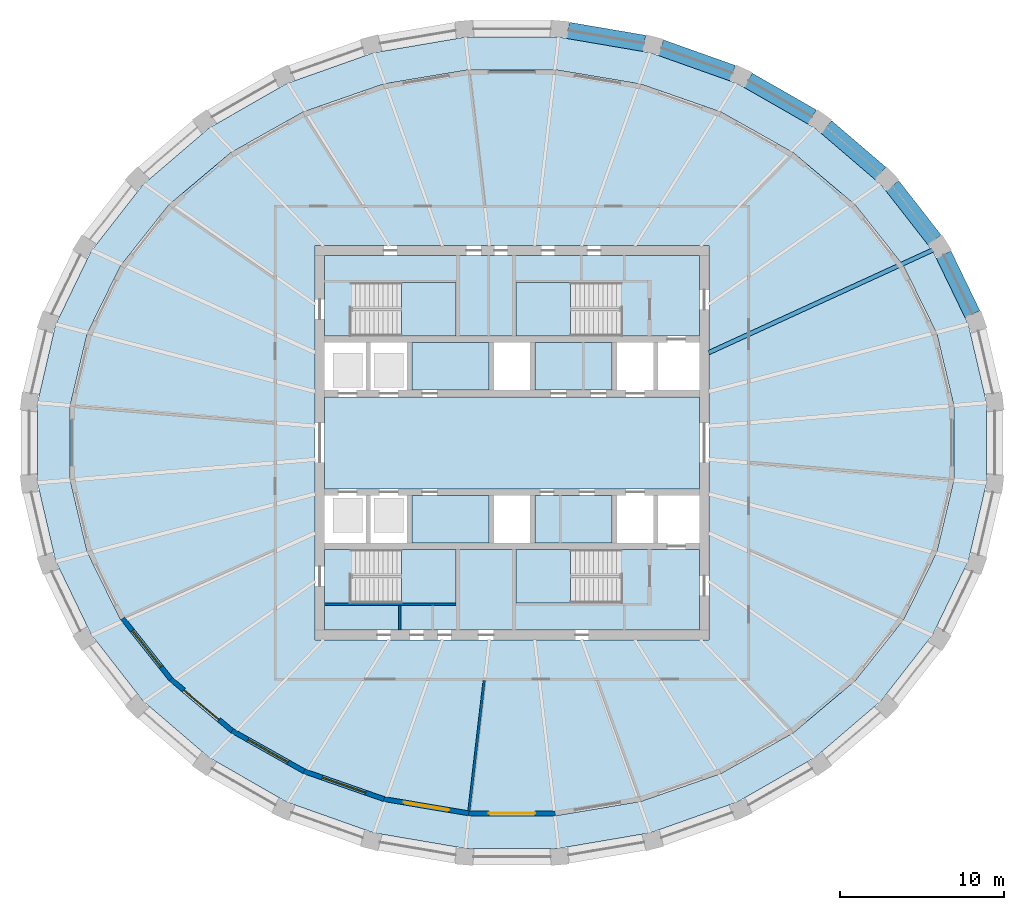
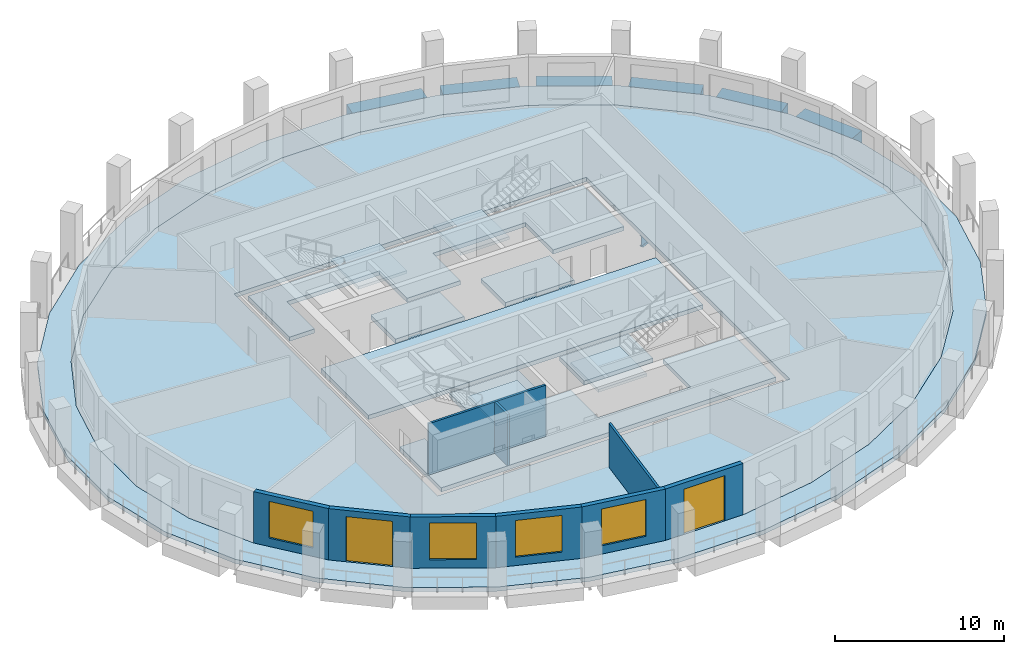
# One storey, part 2 of 10: 13 slabs, 9 walls, 7 beams, 4 windows, 2 doors, 6 openings, 4 elements without a shape of their own.
"""IFC4 building model written with IfcOpenShell, lengths in metres."""

from ifc_helpers import new_model, si_unit, direction, frame, frame_2d, origin, origin_2d, place, context, subcontext, project, spatial, polyline, rectangle, i_section, outline, extrude, material, layer, layer_set, material_profile, profile_set, type_object, element, fill, aggregate, save


model = new_model("IFC4")

# Units and contexts
model_context = context("Model", 3, precision=1e-05, world=origin(), true_north=direction((0.0, 1.0)))
body_context = subcontext(model_context, "Body", "Model", "MODEL_VIEW")
ifc_project = project(units=[si_unit("LENGTHUNIT", "METRE"), si_unit("AREAUNIT", "SQUARE_METRE"), si_unit("VOLUMEUNIT", "CUBIC_METRE"), si_unit("PLANEANGLEUNIT", "RADIAN"), si_unit("MASSUNIT", "GRAM", prefix="KILO")], contexts=[model_context])

# Site, building, storey
site_placement = place(None, origin())
site = spatial("IfcSite", under=ifc_project, at=site_placement, CompositionType="ELEMENT")
building_placement = place(site_placement, origin())
building = spatial("IfcBuilding", under=site, at=building_placement, Name="Halqa Exchange Tower", CompositionType="ELEMENT")
storey_placement = place(building_placement, frame((0.0, 0.0, 280.300048828125)))
storey = spatial("IfcBuildingStorey", under=building, at=storey_placement, Name="L65", CompositionType="ELEMENT", Elevation=280.300048828125)

# Beams
ifc_material_1 = material(Name="Steel S355", Category="steel")
ifc_material_profile_1 = material_profile(ifc_material_1, i_section(OverallWidth=0.264892578125, OverallDepth=0.7529296875, WebThickness=0.01318359375, FlangeThickness=0.01708984375, FilletRadius=0.01708984375, at=origin_2d()), Name="IPE 750x147")
ifc_profile_set_1 = profile_set([ifc_material_profile_1], Name="Steel S355")
beam_type_1 = type_object("IfcBeamType", Name="Floor beam IPE 750x147", PredefinedType="BEAM", material=ifc_profile_set_1)
beam_1_placement = place(storey_placement, frame((11.972412109375, 5.4853515625, -0.676513671875), z_axis=(0.909129124533, 0.416514387417, 0.0), x_axis=(-0.416514387417, 0.909129124533, 0.0)))
element("IfcBeam", 1, at=beam_1_placement, inside=storey, type_object=beam_type_1, Name="Radial beam 3", PredefinedType="BEAM", context=body_context, shape_type="SweptSolid", body=[
    extrude(i_section(OverallWidth=0.264892578125, OverallDepth=0.7529296875, WebThickness=0.01318359375, FlangeThickness=0.01708984375, FilletRadius=0.01708984375, at=origin_2d()), origin(), (0.0, 0.0, 1.0), 15.097412109375),
])
ifc_material_2 = material(Name="Concrete C60/75", Category="concrete")
ifc_material_profile_2 = material_profile(ifc_material_2, rectangle(XDim=1.0, YDim=0.89990234375, at=origin_2d()), Name="1000 x 900")
ifc_profile_set_2 = profile_set([ifc_material_profile_2], Name="Concrete C60/75")
beam_type_2 = type_object("IfcBeamType", Name="RC spandrel beam 1000 x 900 C60/75", PredefinedType="SPANDREL", material=ifc_profile_set_2)
beam_2_placement = place(storey_placement, frame((28.0263671875, 7.8193359375, -0.449951171875), z_axis=(-0.435061697702, 0.90040064371, 0.0), x_axis=(-0.90040064371, -0.435061697702, 0.0)))
element("IfcBeam", 2, at=beam_2_placement, inside=storey, type_object=beam_type_2, Name="Spandrel 2", PredefinedType="SPANDREL", context=body_context, shape_type="SweptSolid", body=[
    extrude(rectangle(XDim=1.0, YDim=0.89990234375, at=origin_2d()), origin(), (0.0, 0.0, 1.0), 4.039794921875),
])
beam_3_placement = place(storey_placement, frame((25.71728515625, 12.343994140625, -0.449951171875), z_axis=(-0.614781231149, 0.788697684684, 0.0), x_axis=(-0.788697684684, -0.614781231149, 0.0)))
element("IfcBeam", 3, at=beam_3_placement, inside=storey, type_object=beam_type_2, Name="Spandrel 3", PredefinedType="SPANDREL", context=body_context, shape_type="SweptSolid", body=[
    extrude(rectangle(XDim=1.0, YDim=0.89990234375, at=origin_2d()), origin(), (0.0, 0.0, 1.0), 4.180419921875),
])
beam_4_placement = place(storey_placement, frame((22.42626953125, 16.396484375, -0.449951171875), z_axis=(-0.759256602365, 0.650791373456, 0.0), x_axis=(-0.650791373456, -0.759256602365, 0.0)))
element("IfcBeam", 4, at=beam_4_placement, inside=storey, type_object=beam_type_2, Name="Spandrel 4", PredefinedType="SPANDREL", context=body_context, shape_type="SweptSolid", body=[
    extrude(rectangle(XDim=1.0, YDim=0.89990234375, at=origin_2d()), origin(), (0.0, 0.0, 1.0), 4.342041015625),
])
beam_5_placement = place(storey_placement, frame((18.27685546875, 19.82373046875, -0.449951171875), z_axis=(-0.867761736786, 0.496980450492, 0.0), x_axis=(-0.496980450492, -0.867761736786, 0.0)))
element("IfcBeam", 5, at=beam_5_placement, inside=storey, type_object=beam_type_2, Name="Spandrel 5", PredefinedType="SPANDREL", context=body_context, shape_type="SweptSolid", body=[
    extrude(rectangle(XDim=1.0, YDim=0.89990234375, at=origin_2d()), origin(), (0.0, 0.0, 1.0), 4.497802734375),
])
beam_6_placement = place(storey_placement, frame((13.42529296875, 22.4951171875, -0.449951171875), z_axis=(-0.942367104473, 0.334580693418, 0.0), x_axis=(-0.334580693418, -0.942367104473, 0.0)))
element("IfcBeam", 6, at=beam_6_placement, inside=storey, type_object=beam_type_2, Name="Spandrel 6", PredefinedType="SPANDREL", context=body_context, shape_type="SweptSolid", body=[
    extrude(rectangle(XDim=1.0, YDim=0.89990234375, at=origin_2d()), origin(), (0.0, 0.0, 1.0), 4.626220703125),
])
beam_7_placement = place(storey_placement, frame((8.05419921875, 24.306640625, -0.449951171875), z_axis=(-0.985774984222, 0.168070462848, 0.0), x_axis=(-0.168070462848, -0.985774984222, 0.0)))
element("IfcBeam", 7, at=beam_7_placement, inside=storey, type_object=beam_type_2, Name="Spandrel 7", PredefinedType="SPANDREL", context=body_context, shape_type="SweptSolid", body=[
    extrude(rectangle(XDim=1.0, YDim=0.89990234375, at=origin_2d()), origin(), (0.0, 0.0, 1.0), 4.710693359375),
])

# Slabs
ifc_layer_1 = layer(ifc_material_2, 0.300048828125)
ifc_layer_set_1 = layer_set([ifc_layer_1], Name="Concrete C60/75")
slab_type_1 = type_object("IfcSlabType", Name="Core floor slab 300", PredefinedType="FLOOR", material=ifc_layer_set_1)
slab_1_placement = place(storey_placement, frame((0.0, 0.0, -0.300048828125)))
element("IfcSlab", 8, at=slab_1_placement, inside=storey, type_object=slab_type_1, Name="Core floor slab", PredefinedType="FLOOR", context=body_context, shape_type="SweptSolid", body=[
    extrude(outline(polyline([(-11.39990234375, 2.800048828125), (11.39990234375, 2.800048828125), (11.39990234375, -2.800048828125), (-11.39990234375, -2.800048828125), (-11.39990234375, 2.800048828125)])), origin(), (0.0, 0.0, 1.0), 0.300048828125),
])
slab_2_placement = place(storey_placement, frame((0.0, 0.0, -0.300048828125)))
element("IfcSlab", 9, at=slab_2_placement, inside=storey, type_object=slab_type_1, Name="Core floor slab", PredefinedType="FLOOR", context=body_context, shape_type="SweptSolid", body=[
    extrude(outline(polyline([(-11.39990234375, 11.39990234375), (11.39990234375, 11.39990234375), (11.39990234375, 6.5), (6.550048828125, 6.5), (6.550048828125, 9.75), (0.25, 9.75), (0.25, 6.5), (-3.39990234375, 6.5), (-3.39990234375, 9.75), (-9.699951171875, 9.75), (-9.699951171875, 6.5), (-11.39990234375, 6.5), (-11.39990234375, 11.39990234375)])), origin(), (0.0, 0.0, 1.0), 0.300048828125),
])
slab_3_placement = place(storey_placement, frame((0.0, 0.0, -0.300048828125)))
element("IfcSlab", 10, at=slab_3_placement, inside=storey, type_object=slab_type_1, Name="Core floor slab", PredefinedType="FLOOR", context=body_context, shape_type="SweptSolid", body=[
    extrude(outline(polyline([(-11.39990234375, -6.5), (-9.699951171875, -6.5), (-9.699951171875, -9.75), (-3.39990234375, -9.75), (-3.39990234375, -6.5), (0.25, -6.5), (0.25, -9.75), (6.550048828125, -9.75), (6.550048828125, -6.5), (11.39990234375, -6.5), (11.39990234375, -11.39990234375), (-11.39990234375, -11.39990234375), (-11.39990234375, -6.5)])), origin(), (0.0, 0.0, 1.0), 0.300048828125),
])
slab_4_placement = place(storey_placement, frame((0.0, 0.0, -0.300048828125)))
element("IfcSlab", 11, at=slab_4_placement, inside=storey, type_object=slab_type_1, Name="Core floor slab", PredefinedType="FLOOR", context=body_context, shape_type="SweptSolid", body=[
    extrude(outline(polyline([(-1.39990234375, -3.199951171875), (-1.39990234375, -6.10009765625), (-6.10009765625, -6.10009765625), (-6.10009765625, -3.199951171875), (-1.39990234375, -3.199951171875)])), origin(), (0.0, 0.0, 1.0), 0.300048828125),
])
slab_5_placement = place(storey_placement, frame((0.0, 0.0, -0.300048828125)))
element("IfcSlab", 12, at=slab_5_placement, inside=storey, type_object=slab_type_1, Name="Core floor slab", PredefinedType="FLOOR", context=body_context, shape_type="SweptSolid", body=[
    extrude(outline(polyline([(-1.39990234375, 3.199951171875), (-6.10009765625, 3.199951171875), (-6.10009765625, 6.10009765625), (-1.39990234375, 6.10009765625), (-1.39990234375, 3.199951171875)])), origin(), (0.0, 0.0, 1.0), 0.300048828125),
])
slab_6_placement = place(storey_placement, frame((0.0, 0.0, -0.300048828125)))
element("IfcSlab", 13, at=slab_6_placement, inside=storey, type_object=slab_type_1, Name="Core floor slab", PredefinedType="FLOOR", context=body_context, shape_type="SweptSolid", body=[
    extrude(outline(polyline([(6.10009765625, -3.199951171875), (6.10009765625, -6.10009765625), (1.39990234375, -6.10009765625), (1.39990234375, -3.199951171875), (6.10009765625, -3.199951171875)])), origin(), (0.0, 0.0, 1.0), 0.300048828125),
])
slab_7_placement = place(storey_placement, frame((0.0, 0.0, -0.300048828125)))
element("IfcSlab", 14, at=slab_7_placement, inside=storey, type_object=slab_type_1, Name="Core floor slab", PredefinedType="FLOOR", context=body_context, shape_type="SweptSolid", body=[
    extrude(outline(polyline([(6.10009765625, 6.10009765625), (6.10009765625, 3.199951171875), (1.39990234375, 3.199951171875), (1.39990234375, 6.10009765625), (6.10009765625, 6.10009765625)])), origin(), (0.0, 0.0, 1.0), 0.300048828125),
])
ifc_material_3 = material(Name="Concrete C40/50", Category="concrete")
ifc_layer_2 = layer(ifc_material_3, 0.300048828125)
ifc_layer_set_2 = layer_set([ifc_layer_2], Name="Concrete C40/50")
slab_type_2 = type_object("IfcSlabType", Name="RC floor slab 300", PredefinedType="FLOOR", material=ifc_layer_set_2)
slab_8_placement = place(storey_placement, frame((0.0, 0.0, -0.300048828125)))
element("IfcSlab", 15, at=slab_8_placement, inside=storey, type_object=slab_type_2, Name="Floor slab", PredefinedType="FLOOR", context=body_context, shape_type="SweptSolid", body=[
    extrude(outline(polyline([(26.897705078125, 2.2412109375), (25.859619140625, 6.6357421875), (23.825439453125, 10.771484375), (20.8759765625, 14.4892578125), (17.126708984375, 17.646728515625), (12.72265625, 20.125), (7.8330078125, 21.830810546875), (2.64453125, 22.699951171875), (-2.64453125, 22.699951171875), (-7.8330078125, 21.830810546875), (-12.72265625, 20.125), (-17.126708984375, 17.646728515625), (-20.8759765625, 14.4892578125), (-23.825439453125, 10.771484375), (-25.859619140625, 6.6357421875), (-26.897705078125, 2.2412109375), (-26.897705078125, -2.2412109375), (-25.859619140625, -6.6357421875), (-23.825439453125, -10.771484375), (-20.8759765625, -14.4892578125), (-17.126708984375, -17.646728515625), (-12.72265625, -20.125), (-7.8330078125, -21.830810546875), (-2.64453125, -22.699951171875), (2.64453125, -22.699951171875), (7.8330078125, -21.830810546875), (12.72265625, -20.125), (17.126708984375, -17.646728515625), (20.8759765625, -14.4892578125), (23.825439453125, -10.771484375), (25.859619140625, -6.6357421875), (26.897705078125, -2.2412109375), (26.897705078125, 2.2412109375)]), holes=[polyline([(-12.0, -12.0), (12.0, -12.0), (12.0, 12.0), (-12.0, 12.0), (-12.0, -12.0)])]), origin(), (0.0, 0.0, 1.0), 0.300048828125),
])
ifc_layer_3 = layer(ifc_material_3, 0.300048828125)
ifc_layer_set_3 = layer_set([ifc_layer_3], Name="Concrete C40/50")
slab_type_3 = type_object("IfcSlabType", Name="RC loggia slab 300", PredefinedType="FLOOR", material=ifc_layer_set_3)
slab_9_placement = place(storey_placement, frame((0.0, 0.0, -0.300048828125)))
element("IfcSlab", 16, at=slab_9_placement, inside=storey, type_object=slab_type_3, Name="Loggia slab", PredefinedType="FLOOR", context=body_context, shape_type="SweptSolid", body=[
    extrude(outline(polyline([(28.884033203125, 2.42333984375), (28.884033203125, -2.42333984375), (27.780517578125, -7.17919921875), (25.61279296875, -11.664794921875), (22.460693359375, -15.70849609375), (18.44189453125, -19.1533203125), (13.708984375, -21.86376953125), (8.4443359375, -23.73291015625), (2.851806640625, -24.686279296875), (-2.851806640625, -24.686279296875), (-8.4443359375, -23.73291015625), (-13.708984375, -21.86376953125), (-18.44189453125, -19.1533203125), (-22.460693359375, -15.70849609375), (-25.61279296875, -11.664794921875), (-27.780517578125, -7.17919921875), (-28.884033203125, -2.42333984375), (-28.884033203125, 2.42333984375), (-27.780517578125, 7.17919921875), (-25.61279296875, 11.664794921875), (-22.460693359375, 15.70849609375), (-18.44189453125, 19.1533203125), (-13.708984375, 21.86376953125), (-8.4443359375, 23.73291015625), (-2.851806640625, 24.686279296875), (2.851806640625, 24.686279296875), (8.4443359375, 23.73291015625), (13.708984375, 21.86376953125), (18.44189453125, 19.1533203125), (22.460693359375, 15.70849609375), (25.61279296875, 11.664794921875), (27.780517578125, 7.17919921875), (28.884033203125, 2.42333984375)]), holes=[polyline([(26.897705078125, 2.2412109375), (25.859619140625, 6.6357421875), (23.825439453125, 10.771484375), (20.8759765625, 14.4892578125), (17.126708984375, 17.646728515625), (12.72265625, 20.125), (7.8330078125, 21.830810546875), (2.64453125, 22.699951171875), (-2.64453125, 22.699951171875), (-7.8330078125, 21.830810546875), (-12.72265625, 20.125), (-17.126708984375, 17.646728515625), (-20.8759765625, 14.4892578125), (-23.825439453125, 10.771484375), (-25.859619140625, 6.6357421875), (-26.897705078125, 2.2412109375), (-26.897705078125, -2.2412109375), (-25.859619140625, -6.6357421875), (-23.825439453125, -10.771484375), (-20.8759765625, -14.4892578125), (-17.126708984375, -17.646728515625), (-12.72265625, -20.125), (-7.8330078125, -21.830810546875), (-2.64453125, -22.699951171875), (2.64453125, -22.699951171875), (7.8330078125, -21.830810546875), (12.72265625, -20.125), (17.126708984375, -17.646728515625), (20.8759765625, -14.4892578125), (23.825439453125, -10.771484375), (25.859619140625, -6.6357421875), (26.897705078125, -2.2412109375), (26.897705078125, 2.2412109375)])]), origin(), (0.0, 0.0, 1.0), 0.300048828125),
])

# Stair, slab
ifc_material_4 = material(Name="Concrete C30/37", Category="concrete")
stair_type = type_object("IfcStairType", Name="Exit stair 1500 wide", PredefinedType="HALF_TURN_STAIR", material=ifc_material_4)
stair_1_placement = place(storey_placement, origin())
stair_1 = element("IfcStair", 17, at=stair_1_placement, inside=storey, type_object=stair_type, Name="Exit stair ST1", PredefinedType="HALF_TURN_STAIR")
ifc_layer_4 = layer(ifc_material_4, 0.199951171875)
ifc_layer_set_4 = layer_set([ifc_layer_4], Name="Concrete C30/37")
slab_type_4 = type_object("IfcSlabType", Name="Stair landing 200 slab", PredefinedType="LANDING", material=ifc_layer_set_4)
slab_10_placement = place(storey_placement, frame((0.0, 0.0, 1.800048828125)))
slab_10 = element("IfcSlab", 18, at=slab_10_placement, type_object=slab_type_4, Name="ST1 landing 1", PredefinedType="LANDING", context=body_context, shape_type="SweptSolid", body=[
    extrude(outline(polyline([(-6.719970703125, 6.5), (-3.39990234375, 6.5), (-3.39990234375, 9.75), (-6.719970703125, 9.75), (-6.719970703125, 6.5)])), origin(), (0.0, 0.0, 1.0), 0.199951171875),
])
aggregate(stair_1, [slab_10])

stair_2_placement = place(storey_placement, origin())
stair_2 = element("IfcStair", 19, at=stair_2_placement, inside=storey, type_object=stair_type, Name="Exit stair ST2", PredefinedType="HALF_TURN_STAIR")
slab_11_placement = place(storey_placement, frame((0.0, 0.0, 1.800048828125)))
slab_11 = element("IfcSlab", 20, at=slab_11_placement, type_object=slab_type_4, Name="ST2 landing 1", PredefinedType="LANDING", context=body_context, shape_type="SweptSolid", body=[
    extrude(outline(polyline([(0.25, 6.5), (3.570068359375, 6.5), (3.570068359375, 9.75), (0.25, 9.75), (0.25, 6.5)])), origin(), (0.0, 0.0, 1.0), 0.199951171875),
])
aggregate(stair_2, [slab_11])

stair_3_placement = place(storey_placement, origin())
stair_3 = element("IfcStair", 21, at=stair_3_placement, inside=storey, type_object=stair_type, Name="Exit stair ST3", PredefinedType="HALF_TURN_STAIR")
slab_12_placement = place(storey_placement, frame((0.0, 0.0, 1.800048828125)))
slab_12 = element("IfcSlab", 22, at=slab_12_placement, type_object=slab_type_4, Name="ST3 landing 1", PredefinedType="LANDING", context=body_context, shape_type="SweptSolid", body=[
    extrude(outline(polyline([(-6.719970703125, -9.75), (-3.39990234375, -9.75), (-3.39990234375, -6.5), (-6.719970703125, -6.5), (-6.719970703125, -9.75)])), origin(), (0.0, 0.0, 1.0), 0.199951171875),
])
aggregate(stair_3, [slab_12])

stair_4_placement = place(storey_placement, origin())
stair_4 = element("IfcStair", 23, at=stair_4_placement, inside=storey, type_object=stair_type, Name="Exit stair ST4", PredefinedType="HALF_TURN_STAIR")
slab_13_placement = place(storey_placement, frame((0.0, 0.0, 1.800048828125)))
slab_13 = element("IfcSlab", 24, at=slab_13_placement, type_object=slab_type_4, Name="ST4 landing 1", PredefinedType="LANDING", context=body_context, shape_type="SweptSolid", body=[
    extrude(outline(polyline([(0.25, -9.75), (3.570068359375, -9.75), (3.570068359375, -6.5), (0.25, -6.5), (0.25, -9.75)])), origin(), (0.0, 0.0, 1.0), 0.199951171875),
])
aggregate(stair_4, [slab_13])

# Walls
ifc_material_5 = material(Name="Fire-rated gypsum board")
ifc_layer_5 = layer(ifc_material_5, 0.14990234375)
ifc_layer_set_5 = layer_set([ifc_layer_5], Name="Fire-rated gypsum board")
wall_type_1 = type_object("IfcWallType", Name="Fire partition EI 60 150", PredefinedType="PARTITIONING", material=ifc_layer_set_5)
wall_1_placement = place(storey_placement, frame((-1.687744140625, -14.466552734375, 0.0), z_axis=(0.0, 0.0, 1.0), x_axis=(-0.116071250105, -0.993240889663, 0.0)))
element("IfcWall", 25, at=wall_1_placement, inside=storey, type_object=wall_type_1, Name="L65-PWL-008", PredefinedType="PARTITIONING", context=body_context, shape_type="SweptSolid", body=[
    extrude(outline(polyline([(7.984375, -0.074951171875), (7.984375, 0.025390625), (7.978515625, 0.074951171875), (5.98388671875, 0.074951171875), (3.9892578125, 0.074951171875), (1.99462890625, 0.074951171875), (0.0, 0.074951171875), (0.0, 0.07275390625), (0.017333984375, -0.074951171875), (2.009033203125, -0.074951171875), (4.000732421875, -0.074951171875), (5.99267578125, -0.074951171875), (7.984375, -0.074951171875)])), origin(), (0.0, 0.0, 1.0), 3.14990234375),
])
ifc_material_6 = material(Name="Gypsum board")
ifc_layer_6 = layer(ifc_material_6, 0.14990234375)
ifc_layer_set_6 = layer_set([ifc_layer_6], Name="Gypsum board")
wall_type_2 = type_object("IfcWallType", Name="Penthouse riser wall 150 gypsum", PredefinedType="PARTITIONING", material=ifc_layer_set_6)
wall_2_placement = place(storey_placement, frame((-6.824951171875, -11.39990234375, 0.0), z_axis=(0.0, 0.0, 1.0), x_axis=(0.0, 1.0, 0.0)))
element("IfcWall", 26, at=wall_2_placement, inside=storey, type_object=wall_type_2, Name="Partition W6.825 S", PredefinedType="PARTITIONING", context=body_context, shape_type="SweptSolid", body=[
    extrude(rectangle(XDim=1.5, YDim=0.14990234375, at=frame_2d((0.75, 0.0))), origin(), (0.0, 0.0, 1.0), 3.699951171875),
])
ifc_layer_7 = layer(ifc_material_4, 0.14990234375)
ifc_layer_set_7 = layer_set([ifc_layer_7], Name="Concrete C30/37")
wall_type_3 = type_object("IfcWallType", Name="RC stair wall 150 C30/37", PredefinedType="SHEAR", material=ifc_layer_set_7)
wall_3_placement = place(storey_placement, frame((-11.39990234375, -9.824951171875, 0.0), z_axis=(0.0, 0.0, 1.0), x_axis=(1.0, 0.0, 0.0)))
element("IfcWall", 27, at=wall_3_placement, inside=storey, type_object=wall_type_3, Name="Stair ST1 north wall S", PredefinedType="SHEAR", context=body_context, shape_type="SweptSolid", body=[
    extrude(rectangle(XDim=8.0, YDim=0.14990234375, at=frame_2d((4.0, 0.0))), origin(), (0.0, 0.0, 1.0), 3.699951171875),
])

# Wall, opening, window
ifc_material_7 = material(Name="Limestone cladding", Category="masonry")
ifc_layer_8 = layer(ifc_material_7, 0.0400390625)
ifc_material_8 = material(Name="Ventilated cavity")
ifc_layer_9 = layer(ifc_material_8, 0.030029296875, ventilated=True)
ifc_material_9 = material(Name="Mineral wool insulation")
ifc_layer_10 = layer(ifc_material_9, 0.10009765625)
ifc_layer_11 = layer(ifc_material_4, 0.10009765625)
ifc_material_10 = material(Name="Internal plaster")
ifc_layer_12 = layer(ifc_material_10, 0.030029296875)
ifc_layer_set_8 = layer_set([ifc_layer_8, ifc_layer_9, ifc_layer_10, ifc_layer_11, ifc_layer_12], Name="Stone-faced insulated wall 300")
wall_type_4 = type_object("IfcWallType", Name="Stone-faced insulated wall 300", PredefinedType="STANDARD", material=ifc_layer_set_8)
wall_4_placement = place(storey_placement, frame((-23.697998046875, -10.69091796875, 0.0), z_axis=(0.0, 0.0, 1.0), x_axis=(0.621544881236, -0.783378555112, 0.0)))
wall_4 = element("IfcWall", 28, at=wall_4_placement, inside=storey, type_object=wall_type_4, Name="Glass-line wall 19", PredefinedType="STANDARD", context=body_context, shape_type="SweptSolid", body=[
    extrude(outline(polyline([(-0.01611328125, -0.14990234375), (4.7294921875, -0.14990234375), (4.69921875, 0.14990234375), (0.01611328125, 0.14990234375), (-0.01611328125, -0.14990234375)])), origin(), (0.0, 0.0, 1.0), 3.699951171875),
])
opening_1_placement = place(wall_4_placement, frame((0.957275390625, 0.0, 0.60009765625)))
opening_1 = element("IfcOpeningElement", 29, at=opening_1_placement, cuts=wall_4, Name="Opening W-F4-19", PredefinedType="OPENING", context=body_context, shape_type="SweptSolid", body=[
    extrude(rectangle(XDim=2.800048828125, YDim=2.64990234375, at=frame_2d((1.39990234375, 1.324951171875))), frame((0.0, 0.162109375, 0.0), z_axis=(0.0, -1.0, 0.0), x_axis=(1.0, 0.0, 0.0)), (0.0, 0.0, 1.0), 0.323974609375),
])
ifc_material_11 = material(Name="Clear low-emissivity glass in aluminium frame", Category="aluminium")
window_type = type_object("IfcWindowType", Name="Fixed clear glazed window 2800 x 2650", PartitioningType="DOUBLE_PANEL_VERTICAL", PredefinedType="WINDOW", material=ifc_material_11)
window_1_placement = place(opening_1_placement, origin())
window_1 = element("IfcWindow", 30, at=window_1_placement, inside=storey, type_object=window_type, Name="Window 4", OverallHeight=2.64990234375, OverallWidth=2.800048828125, PartitioningType="DOUBLE_PANEL_VERTICAL", PredefinedType="WINDOW", context=body_context, shape_type="SweptSolid", body=[
    extrude(rectangle(XDim=2.800048828125, YDim=2.64990234375, at=frame_2d((1.39990234375, 1.324951171875))), frame((0.0, 0.030029296875, 0.0), z_axis=(0.0, -1.0, 0.0), x_axis=(1.0, 0.0, 0.0)), (0.0, 0.0, 1.0), 0.06005859375),
])
fill(opening_1, window_1)

# Wall, opening, door
wall_5_placement = place(storey_placement, frame((-20.767822265625, -14.384033203125, 0.0), z_axis=(0.0, 0.0, 1.0), x_axis=(0.764876116592, -0.644177402792, 0.0)))
wall_5 = element("IfcWall", 31, at=wall_5_placement, inside=storey, type_object=wall_type_4, Name="Glass-line wall 20", PredefinedType="STANDARD", context=body_context, shape_type="SweptSolid", body=[
    extrude(outline(polyline([(-0.01513671875, -0.14990234375), (4.886962890625, -0.14990234375), (4.858642578125, 0.14990234375), (0.01513671875, 0.14990234375), (-0.01513671875, -0.14990234375)])), origin(), (0.0, 0.0, 1.0), 3.699951171875),
])
opening_2_placement = place(wall_5_placement, frame((1.036376953125, 0.0, 0.0)))
opening_2 = element("IfcOpeningElement", 32, at=opening_2_placement, cuts=wall_5, Name="Opening LG-F4-05", PredefinedType="OPENING", context=body_context, shape_type="SweptSolid", body=[
    extrude(rectangle(XDim=2.800048828125, YDim=3.25, at=frame_2d((1.39990234375, 1.625))), frame((0.0, 0.162109375, 0.0), z_axis=(0.0, -1.0, 0.0), x_axis=(1.0, 0.0, 0.0)), (0.0, 0.0, 1.0), 0.323974609375),
])
door_type = type_object("IfcDoorType", Name="Glazed sliding loggia door 2800 x 3250", OperationType="DOUBLE_DOOR_SLIDING", PredefinedType="DOOR", material=ifc_material_11)
door_1_placement = place(opening_2_placement, origin())
door_1 = element("IfcDoor", 33, at=door_1_placement, inside=storey, type_object=door_type, Name="Loggia door 5", OperationType="DOUBLE_DOOR_SLIDING", OverallHeight=3.25, OverallWidth=2.800048828125, PredefinedType="DOOR", context=body_context, shape_type="SweptSolid", body=[
    extrude(rectangle(XDim=2.800048828125, YDim=3.25, at=frame_2d((1.39990234375, 1.625))), frame((0.0, 0.02490234375, 0.0), z_axis=(0.0, -1.0, 0.0), x_axis=(1.0, 0.0, 0.0)), (0.0, 0.0, 1.0), 0.050048828125),
])
fill(opening_2, door_1)

# Wall, opening, window
wall_6_placement = place(storey_placement, frame((-17.040771484375, -17.52294921875, 0.0), z_axis=(0.0, 0.0, 1.0), x_axis=(0.871488606878, -0.490415750239, 0.0)))
wall_6 = element("IfcWall", 34, at=wall_6_placement, inside=storey, type_object=wall_type_4, Name="Glass-line wall 21", PredefinedType="STANDARD", context=body_context, shape_type="SweptSolid", body=[
    extrude(outline(polyline([(-0.01416015625, -0.14990234375), (5.039306640625, -0.14990234375), (5.012939453125, 0.14990234375), (0.01416015625, 0.14990234375), (-0.01416015625, -0.14990234375)])), origin(), (0.0, 0.0, 1.0), 3.699951171875),
])
opening_3_placement = place(wall_6_placement, frame((1.113037109375, 0.0, 0.60009765625)))
opening_3 = element("IfcOpeningElement", 35, at=opening_3_placement, cuts=wall_6, Name="Opening W-F4-21", PredefinedType="OPENING", context=body_context, shape_type="SweptSolid", body=[
    extrude(rectangle(XDim=2.800048828125, YDim=2.64990234375, at=frame_2d((1.39990234375, 1.324951171875))), frame((0.0, 0.162109375, 0.0), z_axis=(0.0, -1.0, 0.0), x_axis=(1.0, 0.0, 0.0)), (0.0, 0.0, 1.0), 0.323974609375),
])
window_2_placement = place(opening_3_placement, origin())
window_2 = element("IfcWindow", 36, at=window_2_placement, inside=storey, type_object=window_type, Name="Window 4", OverallHeight=2.64990234375, OverallWidth=2.800048828125, PartitioningType="DOUBLE_PANEL_VERTICAL", PredefinedType="WINDOW", context=body_context, shape_type="SweptSolid", body=[
    extrude(rectangle(XDim=2.800048828125, YDim=2.64990234375, at=frame_2d((1.39990234375, 1.324951171875))), frame((0.0, 0.030029296875, 0.0), z_axis=(0.0, -1.0, 0.0), x_axis=(1.0, 0.0, 0.0)), (0.0, 0.0, 1.0), 0.06005859375),
])
fill(opening_3, window_2)

wall_7_placement = place(storey_placement, frame((-12.66064453125, -19.98779296875, 0.0), z_axis=(0.0, 0.0, 1.0), x_axis=(0.944204293701, -0.329360367617, 0.0)))
wall_7 = element("IfcWall", 37, at=wall_7_placement, inside=storey, type_object=wall_type_4, Name="Glass-line wall 22", PredefinedType="STANDARD", context=body_context, shape_type="SweptSolid", body=[
    extrude(outline(polyline([(-0.01318359375, -0.14990234375), (5.165283203125, -0.14990234375), (5.139892578125, 0.14990234375), (0.01318359375, 0.14990234375), (-0.01318359375, -0.14990234375)])), origin(), (0.0, 0.0, 1.0), 3.699951171875),
])
opening_4_placement = place(wall_7_placement, frame((1.17626953125, 0.0, 0.60009765625)))
opening_4 = element("IfcOpeningElement", 38, at=opening_4_placement, cuts=wall_7, Name="Opening W-F4-22", PredefinedType="OPENING", context=body_context, shape_type="SweptSolid", body=[
    extrude(rectangle(XDim=2.800048828125, YDim=2.64990234375, at=frame_2d((1.39990234375, 1.324951171875))), frame((0.0, 0.162109375, 0.0), z_axis=(0.0, -1.0, 0.0), x_axis=(1.0, 0.0, 0.0)), (0.0, 0.0, 1.0), 0.323974609375),
])
window_3_placement = place(opening_4_placement, origin())
window_3 = element("IfcWindow", 39, at=window_3_placement, inside=storey, type_object=window_type, Name="Window 4", OverallHeight=2.64990234375, OverallWidth=2.800048828125, PartitioningType="DOUBLE_PANEL_VERTICAL", PredefinedType="WINDOW", context=body_context, shape_type="SweptSolid", body=[
    extrude(rectangle(XDim=2.800048828125, YDim=2.64990234375, at=frame_2d((1.39990234375, 1.324951171875))), frame((0.0, 0.030029296875, 0.0), z_axis=(0.0, -1.0, 0.0), x_axis=(1.0, 0.0, 0.0)), (0.0, 0.0, 1.0), 0.06005859375),
])
fill(opening_4, window_3)

wall_8_placement = place(storey_placement, frame((-7.795654296875, -21.684814453125, 0.0), z_axis=(0.0, 0.0, 1.0), x_axis=(0.986257472007, -0.165215613396, 0.0)))
wall_8 = element("IfcWall", 40, at=wall_8_placement, inside=storey, type_object=wall_type_4, Name="Glass-line wall 23", PredefinedType="STANDARD", context=body_context, shape_type="SweptSolid", body=[
    extrude(outline(polyline([(-0.0126953125, -0.14990234375), (5.248046875, -0.14990234375), (5.22314453125, 0.14990234375), (0.0126953125, 0.14990234375), (-0.0126953125, -0.14990234375)])), origin(), (0.0, 0.0, 1.0), 3.699951171875),
])
opening_5_placement = place(wall_8_placement, frame((1.2177734375, 0.0, 0.60009765625)))
opening_5 = element("IfcOpeningElement", 41, at=opening_5_placement, cuts=wall_8, Name="Opening W-F4-23", PredefinedType="OPENING", context=body_context, shape_type="SweptSolid", body=[
    extrude(rectangle(XDim=2.800048828125, YDim=2.64990234375, at=frame_2d((1.39990234375, 1.324951171875))), frame((0.0, 0.162109375, 0.0), z_axis=(0.0, -1.0, 0.0), x_axis=(1.0, 0.0, 0.0)), (0.0, 0.0, 1.0), 0.323974609375),
])
window_4_placement = place(opening_5_placement, origin())
window_4 = element("IfcWindow", 42, at=window_4_placement, inside=storey, type_object=window_type, Name="Window 4", OverallHeight=2.64990234375, OverallWidth=2.800048828125, PartitioningType="DOUBLE_PANEL_VERTICAL", PredefinedType="WINDOW", context=body_context, shape_type="SweptSolid", body=[
    extrude(rectangle(XDim=2.800048828125, YDim=2.64990234375, at=frame_2d((1.39990234375, 1.324951171875))), frame((0.0, 0.030029296875, 0.0), z_axis=(0.0, -1.0, 0.0), x_axis=(1.0, 0.0, 0.0)), (0.0, 0.0, 1.0), 0.06005859375),
])
fill(opening_5, window_4)

# Wall, opening, door
wall_9_placement = place(storey_placement, frame((-2.632080078125, -22.5498046875, 0.0), z_axis=(0.0, 0.0, 1.0), x_axis=(1.0, 0.0, 0.0)))
wall_9 = element("IfcWall", 43, at=wall_9_placement, inside=storey, type_object=wall_type_4, Name="Glass-line wall 24", PredefinedType="STANDARD", context=body_context, shape_type="SweptSolid", body=[
    extrude(outline(polyline([(-0.012451171875, -0.14990234375), (5.276611328125, -0.14990234375), (5.251708984375, 0.14990234375), (0.012451171875, 0.14990234375), (-0.012451171875, -0.14990234375)])), origin(), (0.0, 0.0, 1.0), 3.699951171875),
])
opening_6_placement = place(wall_9_placement, frame((1.232177734375, 0.0, 0.0)))
opening_6 = element("IfcOpeningElement", 44, at=opening_6_placement, cuts=wall_9, Name="Opening LG-F4-06", PredefinedType="OPENING", context=body_context, shape_type="SweptSolid", body=[
    extrude(rectangle(XDim=2.800048828125, YDim=3.25, at=frame_2d((1.39990234375, 1.625))), frame((0.0, 0.162109375, 0.0), z_axis=(0.0, -1.0, 0.0), x_axis=(1.0, 0.0, 0.0)), (0.0, 0.0, 1.0), 0.323974609375),
])
door_2_placement = place(opening_6_placement, origin())
door_2 = element("IfcDoor", 45, at=door_2_placement, inside=storey, type_object=door_type, Name="Loggia door 6", OperationType="DOUBLE_DOOR_SLIDING", OverallHeight=3.25, OverallWidth=2.800048828125, PredefinedType="DOOR", context=body_context, shape_type="SweptSolid", body=[
    extrude(rectangle(XDim=2.800048828125, YDim=3.25, at=frame_2d((1.39990234375, 1.625))), frame((0.0, 0.02490234375, 0.0), z_axis=(0.0, -1.0, 0.0), x_axis=(1.0, 0.0, 0.0)), (0.0, 0.0, 1.0), 0.050048828125),
])
fill(opening_6, door_2)

save(model, "model.ifc")
